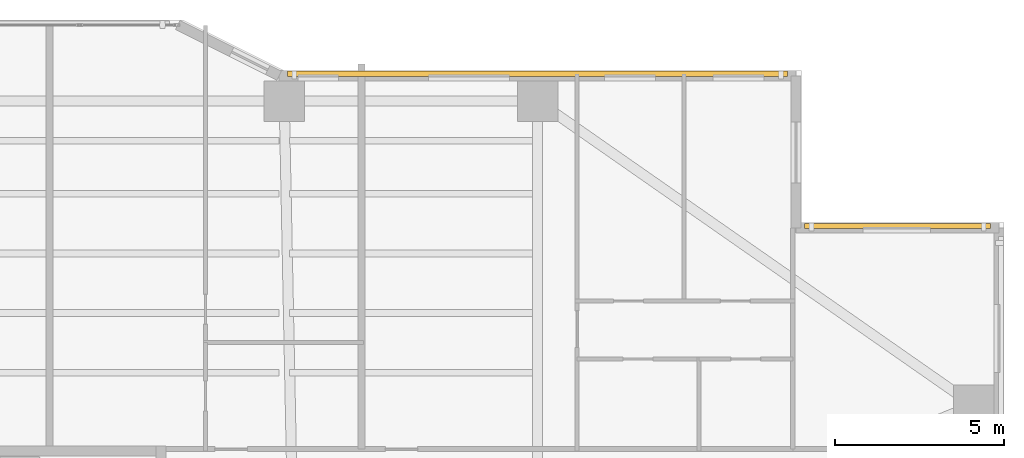
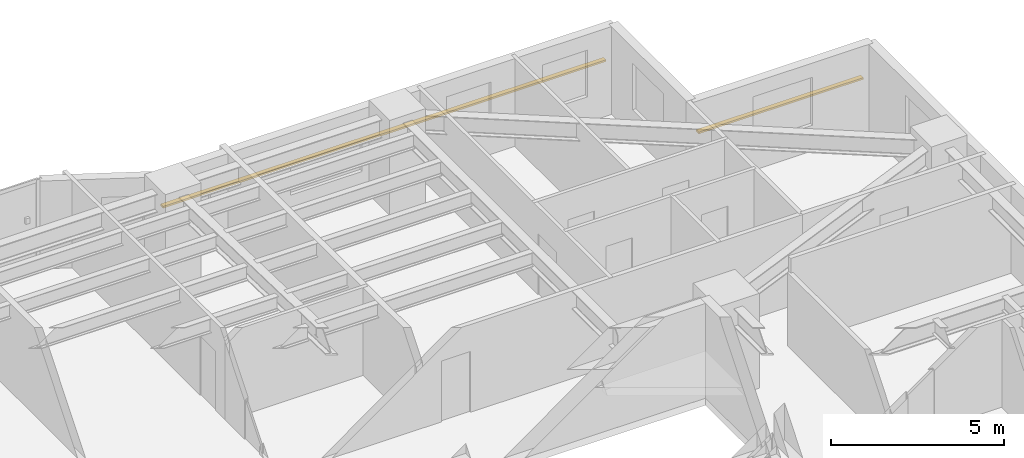
# One storey, part 21 of 21: 2 shading devices.
"""IFC4 building model written with IfcOpenShell, lengths in metres."""

from ifc_helpers import new_model, si_unit, direction, frame, origin, origin_2d, place, context, subcontext, project, spatial, rectangle, extrude, material, material_profile, profile_set, type_object, element, save


model = new_model("IFC4")

# Units and contexts
model_context = context("Model", 3, precision=1e-05, world=origin(), true_north=direction((0.0, 1.0)))
body_context = subcontext(model_context, "Body", "Model", "MODEL_VIEW")
ifc_project = project(units=[si_unit("LENGTHUNIT", "METRE"), si_unit("AREAUNIT", "SQUARE_METRE"), si_unit("VOLUMEUNIT", "CUBIC_METRE"), si_unit("PLANEANGLEUNIT", "RADIAN"), si_unit("MASSUNIT", "GRAM", prefix="KILO")], contexts=[model_context])

# Site, building, storey
site_placement = place(None, origin())
site = spatial("IfcSite", under=ifc_project, at=site_placement, CompositionType="ELEMENT")
building_placement = place(site_placement, origin())
building = spatial("IfcBuilding", under=site, at=building_placement, Name="Tarnavaz Court Tower", CompositionType="ELEMENT")
storey_placement = place(building_placement, frame((0.0, 0.0, 47.449951171875)))
storey = spatial("IfcBuildingStorey", under=building, at=storey_placement, Name="L12", CompositionType="ELEMENT", Elevation=47.449951171875)

# Shading devices
ifc_material = material(Name="Kiln-Fired Khorasan Terracotta Ceramic", Category="masonry")
ifc_material_profile = material_profile(ifc_material, rectangle(XDim=0.14990234375, YDim=0.06494140625, at=origin_2d()), Name="TC BAGUETTE 150X65")
ifc_profile_set = profile_set([ifc_material_profile], Name="Kiln-Fired Khorasan Terracotta Ceramic")
shading_device_type = type_object("IfcShadingDeviceType", Name="SD-BAG-150", PredefinedType="USERDEFINED", material=ifc_profile_set)
shading_device_1_placement = place(storey_placement, frame((7.60009765625, 23.610107421875, 1.85009765625), z_axis=(1.0, 0.0, 0.0), x_axis=(0.0, 1.0, 0.0)))
element("IfcShadingDevice", 1, at=shading_device_1_placement, inside=storey, type_object=shading_device_type, Name="L12 Terracotta Baguette Screen FBG09", ObjectType="BAGUETTE", PredefinedType="USERDEFINED", context=body_context, shape_type="SweptSolid", body=[
    extrude(rectangle(XDim=0.14990234375, YDim=0.06494140625, at=origin_2d()), origin(), (0.0, 0.0, 1.0), 14.7998046875),
])
shading_device_2_placement = place(storey_placement, frame((22.89990234375, 19.110107421875, 1.85009765625), z_axis=(1.0, 0.0, 0.0), x_axis=(0.0, 1.0, 0.0)))
element("IfcShadingDevice", 2, at=shading_device_2_placement, inside=storey, type_object=shading_device_type, Name="L12 Terracotta Baguette Screen FBG11", ObjectType="BAGUETTE", PredefinedType="USERDEFINED", context=body_context, shape_type="SweptSolid", body=[
    extrude(rectangle(XDim=0.14990234375, YDim=0.06494140625, at=origin_2d()), origin(), (0.0, 0.0, 1.0), 5.5),
])

save(model, "model.ifc")
